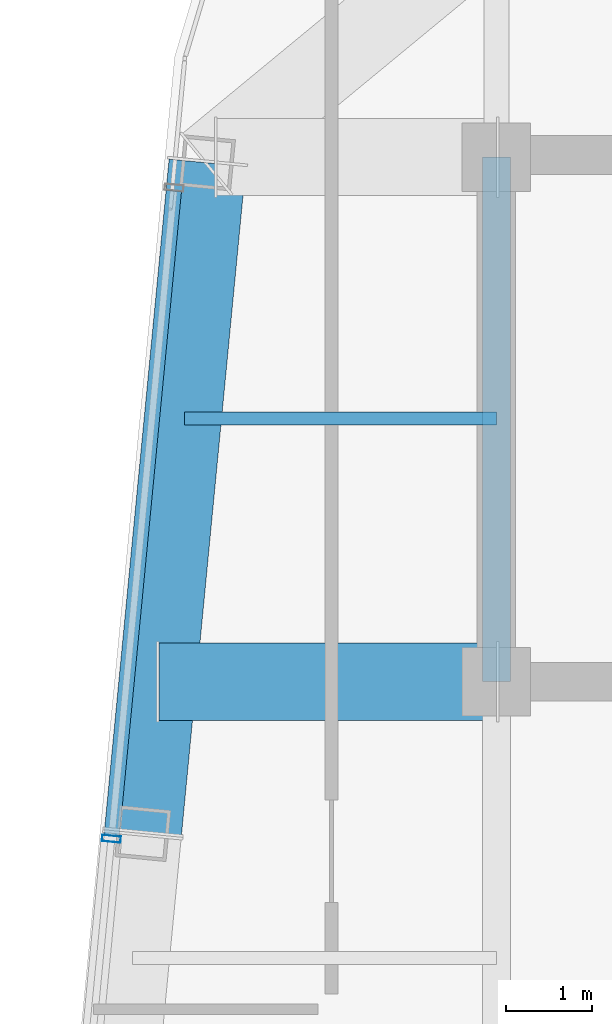
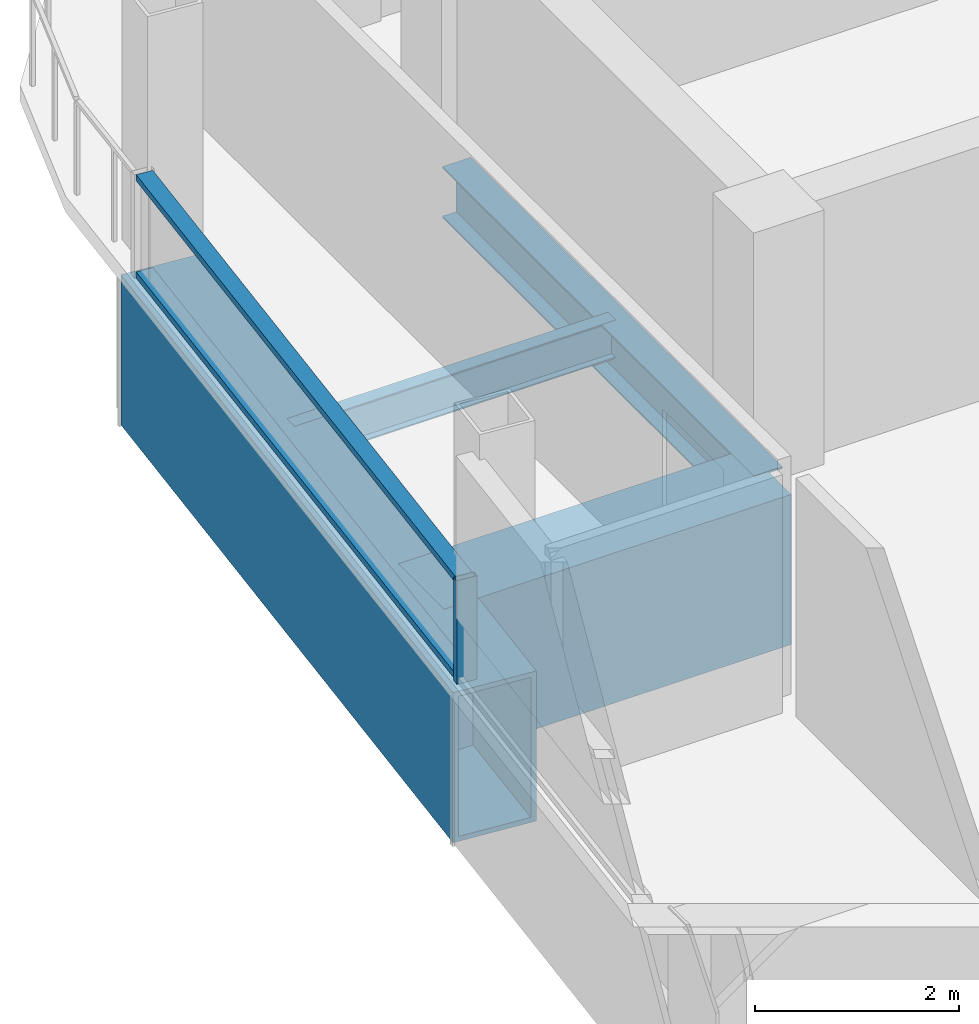
# One storey, part 8 of 21: 4 beams, 3 members, 1 element without a shape of its own.
"""IFC4 building model written with IfcOpenShell, lengths in metres."""

import ifcopenshell
import ifcopenshell.guid

model = None  # the IFC model being written
_history = None  # IfcOwnerHistory: only IFC2X3 demands one
_inside = {}  # id of a spatial element -> (the spatial element, [elements in it])
_under = {}  # id of a project, library or spatial element -> (it, [spatial elements below it])
_declared = {}  # id of a project -> (the project, [libraries it declares])
_typed = {}  # id of a type object -> (the type object, [elements of that type])
_made_of = {}  # id of a material, layer set ... -> (it, [elements and type objects made of it])


def new_model(schema):
    """Start an empty IFC model of exactly this schema.

    Asked for "IFC4X3", IfcOpenShell would pick the latest addendum, in which some entities
    have other attributes; the version numbers below select the first issue.
    IFC2X3 requires an IfcOwnerHistory on every rooted entity: one is made here for all.
    """
    global model, _history
    if schema == "IFC4X3":
        model = ifcopenshell.file(schema_version=(4, 3, 0, 0))
    else:
        model = ifcopenshell.file(schema=schema)
    _inside.clear()
    _under.clear()
    _declared.clear()
    _typed.clear()
    _made_of.clear()
    _history = None
    if model.schema == "IFC2X3":
        org = make("IfcOrganization", Name="unknown")
        user = make(
            "IfcPersonAndOrganization",
            ThePerson=make("IfcPerson", FamilyName="unknown"),
            TheOrganization=org,
        )
        app = make(
            "IfcApplication",
            ApplicationDeveloper=org,
            Version="unknown",
            ApplicationFullName="unknown",
            ApplicationIdentifier="unknown",
        )
        _history = make(
            "IfcOwnerHistory",
            OwningUser=user,
            OwningApplication=app,
            ChangeAction="ADDED",
            CreationDate=0,
        )
    return model


def make(cls, **values):
    """One entity of the class cls with the attributes given. An attribute that is None is left unset."""
    return model.create_entity(
        cls, **{name: value for name, value in values.items() if value is not None}
    )


def rooted(cls, **values):
    """An entity with a GlobalId (a new one), such as an element, a storey or a relation."""
    return make(cls, GlobalId=ifcopenshell.guid.new(), OwnerHistory=_history, **values)


def si_unit(unit_type, name, prefix=None):
    """IfcSIUnit, for example si_unit("LENGTHUNIT", "METRE", prefix="MILLI")."""
    return make("IfcSIUnit", UnitType=unit_type, Prefix=prefix, Name=name)


def assignment(units):
    """IfcUnitAssignment: the units of a project."""
    return None if units is None else make("IfcUnitAssignment", Units=units)


def point(xyz):
    """IfcCartesianPoint."""
    return None if xyz is None else make("IfcCartesianPoint", Coordinates=xyz)


def direction(xyz):
    """IfcDirection."""
    return None if xyz is None else make("IfcDirection", DirectionRatios=xyz)


def frame(location, z_axis=None, x_axis=None):
    """IfcAxis2Placement3D, a coordinate frame: its origin and axes. An axis left out is left unset."""
    return make(
        "IfcAxis2Placement3D",
        Location=point(location),
        Axis=direction(z_axis),
        RefDirection=direction(x_axis),
    )


def frame_2d(location, x_axis=None):
    """IfcAxis2Placement2D, a coordinate frame in the plane: its origin and x axis."""
    return make(
        "IfcAxis2Placement2D", Location=point(location), RefDirection=direction(x_axis)
    )


def origin():
    """The frame at (0, 0, 0) with its axes left unset."""
    return frame((0.0, 0.0, 0.0))


def origin_2d():
    """The frame at (0, 0) in the plane with its x axis left unset."""
    return frame_2d((0.0, 0.0))


def place(relative_to, where):
    """IfcLocalPlacement: puts the frame where relative to a parent placement (None: the world)."""
    return make(
        "IfcLocalPlacement", PlacementRelTo=relative_to, RelativePlacement=where
    )


def context(
    kind, dimensions, precision=None, world=None, true_north=None, identifier=None
):
    """IfcGeometricRepresentationContext, for example the 3D "Model" context."""
    return make(
        "IfcGeometricRepresentationContext",
        ContextIdentifier=identifier,
        ContextType=kind,
        CoordinateSpaceDimension=dimensions,
        Precision=precision,
        WorldCoordinateSystem=world,
        TrueNorth=true_north,
    )


def subcontext(parent, identifier, kind, view, scale=None):
    """IfcGeometricRepresentationSubContext, for example "Body" below "Model"."""
    return make(
        "IfcGeometricRepresentationSubContext",
        ContextIdentifier=identifier,
        ContextType=kind,
        ParentContext=parent,
        TargetScale=scale,
        TargetView=view,
    )


def project(units=None, contexts=None):
    """IfcProject with its units and contexts."""
    return rooted(
        "IfcProject",
        Name="project",
        RepresentationContexts=contexts,
        UnitsInContext=assignment(units),
    )


def spatial(cls, under=None, at=None, **own):
    """A site, building, storey or space (cls), placed at a placement, below another one or the project."""
    s = rooted(cls, ObjectPlacement=at, **own)
    if under is not None:
        _under.setdefault(under.id(), (under, []))[1].append(s)
    return s


def profile(cls, at=None, kind="AREA", **sizes):
    """A parametric profile (cls). Its sizes go by their IFC names, for example OverallWidth=200.0."""
    return make(cls, ProfileType=kind, Position=at, **sizes)


def hollow_rectangle(**sizes):
    """IfcRectangleHollowProfileDef."""
    return profile("IfcRectangleHollowProfileDef", **sizes)


def i_section(**sizes):
    """IfcIShapeProfileDef."""
    return profile("IfcIShapeProfileDef", **sizes)


def extrude(swept, where, along, depth):
    """IfcExtrudedAreaSolid: the profile swept, set in the frame where, extruded along a direction by depth."""
    return make(
        "IfcExtrudedAreaSolid",
        SweptArea=swept,
        Position=where,
        ExtrudedDirection=direction(along),
        Depth=depth,
    )


def shape(context_of_items, identifier, shape_type, items):
    """IfcShapeRepresentation: the items that make up one representation, for example the "Body"."""
    return make(
        "IfcShapeRepresentation",
        ContextOfItems=context_of_items,
        RepresentationIdentifier=identifier,
        RepresentationType=shape_type,
        Items=items,
    )


def material(Name=None, Category=None):
    """IfcMaterial."""
    return make("IfcMaterial", Name=Name, Category=Category)


def layer(
    of_material, thickness, ventilated=None, Name=None, Category=None, Priority=None
):
    """IfcMaterialLayer: one layer of a wall or slab, of a material (None: an air gap)."""
    return make(
        "IfcMaterialLayer",
        Material=of_material,
        LayerThickness=thickness,
        IsVentilated=ventilated,
        Name=Name,
        Category=Category,
        Priority=Priority,
    )


def layer_set(layers, Name=None):
    """IfcMaterialLayerSet."""
    return make("IfcMaterialLayerSet", MaterialLayers=layers, LayerSetName=Name)


def material_profile(
    of_material, cross_section, Name=None, Category=None, Priority=None
):
    """IfcMaterialProfile: a cross section and its material."""
    return make(
        "IfcMaterialProfile",
        Name=Name,
        Material=of_material,
        Profile=cross_section,
        Priority=Priority,
        Category=Category,
    )


def profile_set(profiles, Name=None, composite=None):
    """IfcMaterialProfileSet."""
    return make(
        "IfcMaterialProfileSet",
        Name=Name,
        MaterialProfiles=profiles,
        CompositeProfile=composite,
    )


def made_of(thing, what):
    """Note that an element or type object is made of a material, layer set ...; save() writes the relation."""
    if what is not None:
        _made_of.setdefault(what.id(), (what, []))[1].append(thing)
    return thing


def type_object(cls, material=None, **own):
    """A type object (cls), such as IfcWallType, which elements share."""
    return made_of(rooted(cls, **own), material)


def element(
    cls,
    number,
    at=None,
    inside=None,
    cuts=None,
    type_object=None,
    material=None,
    context=None,
    identifier="Body",
    shape_type=None,
    held_by="IfcProductDefinitionShape",
    body=None,
    shapes=None,
    **own,
):
    """One element of the class cls, such as IfcWall. Its Tag is "e" and its number.

    at: its placement. inside: the storey or other place that contains it. cuts: it is an
    opening in that element (IfcRelVoidsElement). A single representation is given by context,
    identifier, shape_type and body (its items); several are given by shapes. held_by: the class
    of the entity that holds the representations. save() writes the other relations.
    """
    e = rooted(cls, Tag="e%d" % number, ObjectPlacement=at, **own)
    if body is not None:
        shapes = [shape(context, identifier, shape_type, body)]
    if shapes is not None:
        e.Representation = make(held_by, Representations=shapes)
    if inside is not None:
        _inside.setdefault(inside.id(), (inside, []))[1].append(e)
    if cuts is not None:
        rooted(
            "IfcRelVoidsElement", RelatingBuildingElement=cuts, RelatedOpeningElement=e
        )
    if type_object is not None:
        _typed.setdefault(type_object.id(), (type_object, []))[1].append(e)
    return made_of(e, material)


def aggregate(whole, parts):
    """IfcRelAggregates: a whole, such as a stair, and the parts it consists of."""
    return rooted("IfcRelAggregates", RelatingObject=whole, RelatedObjects=parts)


def save(model, path):
    """Write the relations noted so far, then the file.

    IfcRelAggregates (storeys below a building ...), IfcRelContainedInSpatialStructure (elements
    in a storey), IfcRelDefinesByType, IfcRelAssociatesMaterial and IfcRelDeclares: one each for
    every whole, place, type object, material and project.
    """
    for whole, parts in _under.values():
        aggregate(whole, parts)
    for where, things in _inside.values():
        rooted(
            "IfcRelContainedInSpatialStructure",
            RelatedElements=things,
            RelatingStructure=where,
        )
    for kind, things in _typed.values():
        rooted("IfcRelDefinesByType", RelatedObjects=things, RelatingType=kind)
    for what, things in _made_of.values():
        rooted("IfcRelAssociatesMaterial", RelatedObjects=things, RelatingMaterial=what)
    for by, libraries in _declared.values():
        rooted("IfcRelDeclares", RelatingContext=by, RelatedDefinitions=libraries)
    model.write(path)


model = new_model("IFC4")

# Units and contexts
model_context = context("Model", 3, precision=1e-05, world=origin(), true_north=direction((0.0, 1.0)))
body_context = subcontext(model_context, "Body", "Model", "MODEL_VIEW")
ifc_project = project(units=[si_unit("LENGTHUNIT", "METRE"), si_unit("AREAUNIT", "SQUARE_METRE"), si_unit("VOLUMEUNIT", "CUBIC_METRE"), si_unit("PLANEANGLEUNIT", "RADIAN"), si_unit("MASSUNIT", "GRAM", prefix="KILO")], contexts=[model_context])

# Site, building, storey
site_placement = place(None, origin())
site = spatial("IfcSite", under=ifc_project, at=site_placement, CompositionType="ELEMENT")
building_placement = place(site_placement, origin())
building = spatial("IfcBuilding", under=site, at=building_placement, Name="Qhalaya Broadcast Tower", CompositionType="ELEMENT")
storey_placement = place(building_placement, frame((0.0, 0.0, 270.300048828125)))
storey = spatial("IfcBuildingStorey", under=building, at=storey_placement, Name="L80", CompositionType="ELEMENT", Elevation=270.300048828125)

# Beams
ifc_material_1 = material(Name="Structural Steel ASTM A572 Grade 50", Category="steel")
ifc_material_profile_1 = material_profile(ifc_material_1, hollow_rectangle(XDim=0.89990234375, YDim=1.800048828125, WallThickness=0.06005859375, at=origin_2d()), Name="BOX 900x1800x60")
ifc_profile_set_1 = profile_set([ifc_material_profile_1], Name="Structural Steel ASTM A572 Grade 50")
beam_type_1 = type_object("IfcBeamType", Name="Block Cantilever Transfer Box Girder TG1", PredefinedType="USERDEFINED", material=ifc_profile_set_1)
beam_1_placement = place(storey_placement, frame((-12.74853515625, 9.883056640625, -1.090087890625), z_axis=(-0.095834223619, -0.995397308407, 0.0), x_axis=(0.995397308407, -0.095834223619, 0.0)))
element("IfcBeam", 1, at=beam_1_placement, inside=storey, type_object=beam_type_1, Name="L80 TG1 L80-SPR-13", ObjectType="GIRDER", PredefinedType="USERDEFINED", context=body_context, shape_type="SweptSolid", body=[
    extrude(hollow_rectangle(XDim=0.89990234375, YDim=1.800048828125, WallThickness=0.06005859375, at=origin_2d()), origin(), (0.0, 0.0, 1.0), 7.86669921875),
])
beam_2_placement = place(storey_placement, frame((-13.311767578125, 3.824951171875, -1.090087890625), z_axis=(1.0, 0.0, 0.0), x_axis=(0.0, 1.0, 0.0)))
element("IfcBeam", 2, at=beam_2_placement, inside=storey, type_object=beam_type_1, Name="L80 TG1 L80-PGYW3-1", ObjectType="GIRDER", PredefinedType="USERDEFINED", context=body_context, shape_type="SweptSolid", body=[
    extrude(hollow_rectangle(XDim=0.89990234375, YDim=1.800048828125, WallThickness=0.06005859375, at=origin_2d()), origin(), (0.0, 0.0, 1.0), 3.936767578125),
])
ifc_material_2 = material(Name="Structural Steel ASTM A992 Grade 50", Category="steel")
ifc_material_profile_2 = material_profile(ifc_material_2, i_section(OverallWidth=0.154052734375, OverallDepth=0.458984375, WebThickness=0.009033203125, FlangeThickness=0.015380859375, at=origin_2d()), Name="W18X46")
ifc_profile_set_2 = profile_set([ifc_material_profile_2], Name="Structural Steel ASTM A992 Grade 50")
beam_type_2 = type_object("IfcBeamType", Name="Composite Floor Joist J04", PredefinedType="JOIST", material=ifc_profile_set_2)
beam_3_placement = place(storey_placement, frame((-13.015625, 6.89990234375, -0.41943359375), z_axis=(1.0, 0.0, 0.0), x_axis=(0.0, 1.0, 0.0)))
element("IfcBeam", 3, at=beam_3_placement, inside=storey, type_object=beam_type_2, Name="L80 J04 L80-JWE5W-1", PredefinedType="JOIST", context=body_context, shape_type="SweptSolid", body=[
    extrude(i_section(OverallWidth=0.154052734375, OverallDepth=0.458984375, WebThickness=0.009033203125, FlangeThickness=0.015380859375, at=origin_2d()), origin(), (0.0, 0.0, 1.0), 3.640625),
])
ifc_material_profile_3 = material_profile(ifc_material_2, i_section(OverallWidth=0.323974609375, OverallDepth=0.612060546875, WebThickness=0.0126953125, FlangeThickness=0.01904296875, at=origin_2d()), Name="W24X104")
ifc_profile_set_3 = profile_set([ifc_material_profile_3], Name="Structural Steel ASTM A992 Grade 50")
beam_type_3 = type_object("IfcBeamType", Name="Core Frame Tie Beam B04", PredefinedType="BEAM", material=ifc_profile_set_3)
beam_4_placement = place(storey_placement, frame((-9.375, 3.824951171875, -0.49609375), z_axis=(0.0, 1.0, 0.0), x_axis=(-1.0, 0.0, 0.0)))
element("IfcBeam", 4, at=beam_4_placement, inside=storey, type_object=beam_type_3, Name="L80 B04 L80-CCN2", PredefinedType="BEAM", context=body_context, shape_type="SweptSolid", body=[
    extrude(i_section(OverallWidth=0.323974609375, OverallDepth=0.612060546875, WebThickness=0.0126953125, FlangeThickness=0.01904296875, at=origin_2d()), origin(), (0.0, 0.0, 1.0), 6.125),
])

# Curtain wall, members
ifc_material_3 = material(Name="Fired Architectural Terracotta", Category="masonry")
ifc_layer = layer(ifc_material_3, 0.219970703125, Name="Fired Architectural Terracotta")
ifc_layer_set = layer_set([ifc_layer], Name="Fired Architectural Terracotta")
curtain_wall_type = type_object("IfcCurtainWallType", Name="Block-Cap Unitised Terracotta Spandrel Wall CW-07", PredefinedType="NOTDEFINED", material=ifc_layer_set)
curtain_wall_placement = place(storey_placement, origin())
curtain_wall = element("IfcCurtainWall", 5, at=curtain_wall_placement, inside=storey, type_object=curtain_wall_type, Name="L80 Unitised Curtain Wall L80-CW-W", PredefinedType="NOTDEFINED")
ifc_material_4 = material(Name="Anodised Aluminium 6063-T6", Category="aluminium")
ifc_material_profile_4 = material_profile(ifc_material_4, hollow_rectangle(XDim=0.074951171875, YDim=0.219970703125, WallThickness=0.00390625, at=origin_2d()), Name="ALU-MUL 75x220x4")
ifc_profile_set_4 = profile_set([ifc_material_profile_4], Name="Anodised Aluminium 6063-T6")
member_type_1 = type_object("IfcMemberType", Name="Unitised Curtain-Wall Mullion M01", PredefinedType="MULLION", material=ifc_profile_set_4)
member_1_placement = place(storey_placement, frame((-13.8701171875, 1.991455078125, 0.0), z_axis=(0.0, 0.0, 1.0), x_axis=(0.095847800651, 0.995396001153, 0.0)))
member_1 = element("IfcMember", 6, at=member_1_placement, type_object=member_type_1, Name="CW-07 mullion 3", PredefinedType="MULLION", context=body_context, shape_type="SweptSolid", body=[
    extrude(hollow_rectangle(XDim=0.074951171875, YDim=0.219970703125, WallThickness=0.00390625, at=origin_2d()), origin(), (0.0, 0.0, 1.0), 1.239990234375),
])
ifc_material_profile_5 = material_profile(ifc_material_4, hollow_rectangle(XDim=0.074951171875, YDim=0.179931640625, WallThickness=0.00390625, at=origin_2d()), Name="ALU-TRN 75x180x4")
ifc_profile_set_5 = profile_set([ifc_material_profile_5], Name="Anodised Aluminium 6063-T6")
member_type_2 = type_object("IfcMemberType", Name="Unitised Curtain-Wall Transom T01", PredefinedType="USERDEFINED", material=ifc_profile_set_5)
member_2_placement = place(storey_placement, frame((-13.866455078125, 2.02880859375, 0.037353515625), z_axis=(0.095852664018, 0.995395532841, 0.0), x_axis=(0.0, 0.0, 1.0)))
member_2 = element("IfcMember", 7, at=member_2_placement, type_object=member_type_2, Name="CW-07 transom 3.1", ObjectType="TRANSOM", PredefinedType="USERDEFINED", context=body_context, shape_type="SweptSolid", body=[
    extrude(hollow_rectangle(XDim=0.074951171875, YDim=0.179931640625, WallThickness=0.00390625, at=origin_2d()), origin(), (0.0, 0.0, 1.0), 7.562255859375),
])
member_3_placement = place(storey_placement, frame((-13.866455078125, 2.02880859375, 1.202392578125), z_axis=(0.095852664018, 0.995395532841, 0.0), x_axis=(0.0, 0.0, 1.0)))
member_3 = element("IfcMember", 8, at=member_3_placement, type_object=member_type_2, Name="CW-07 transom 3.2", ObjectType="TRANSOM", PredefinedType="USERDEFINED", context=body_context, shape_type="SweptSolid", body=[
    extrude(hollow_rectangle(XDim=0.074951171875, YDim=0.179931640625, WallThickness=0.00390625, at=origin_2d()), origin(), (0.0, 0.0, 1.0), 7.562255859375),
])
aggregate(curtain_wall, [member_1, member_2, member_3])

save(model, "model.ifc")
